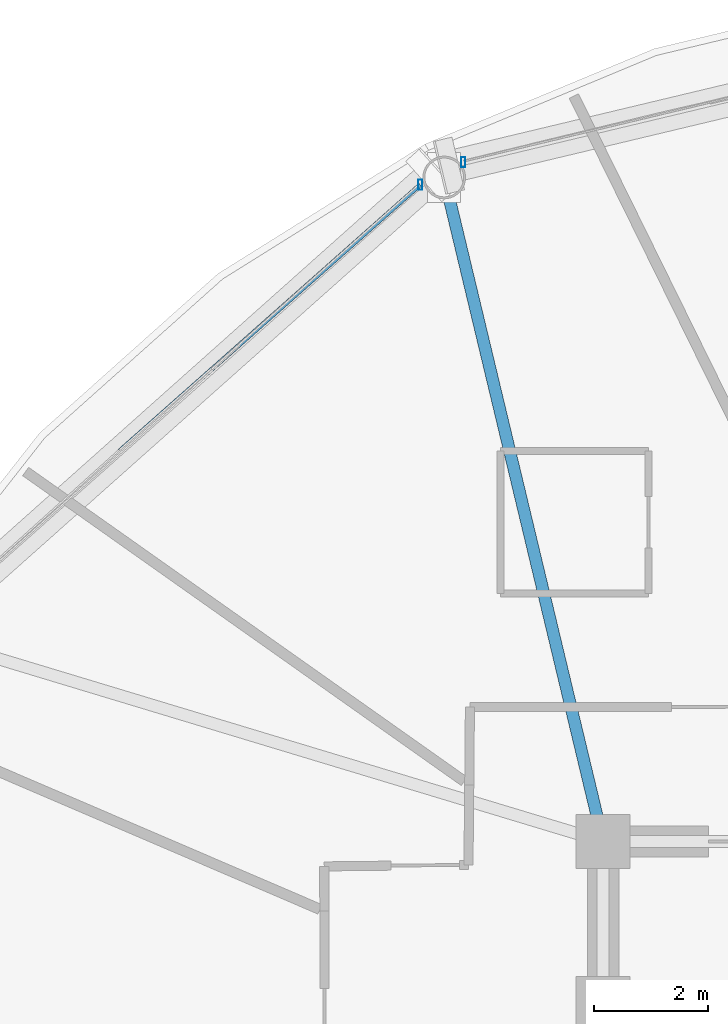
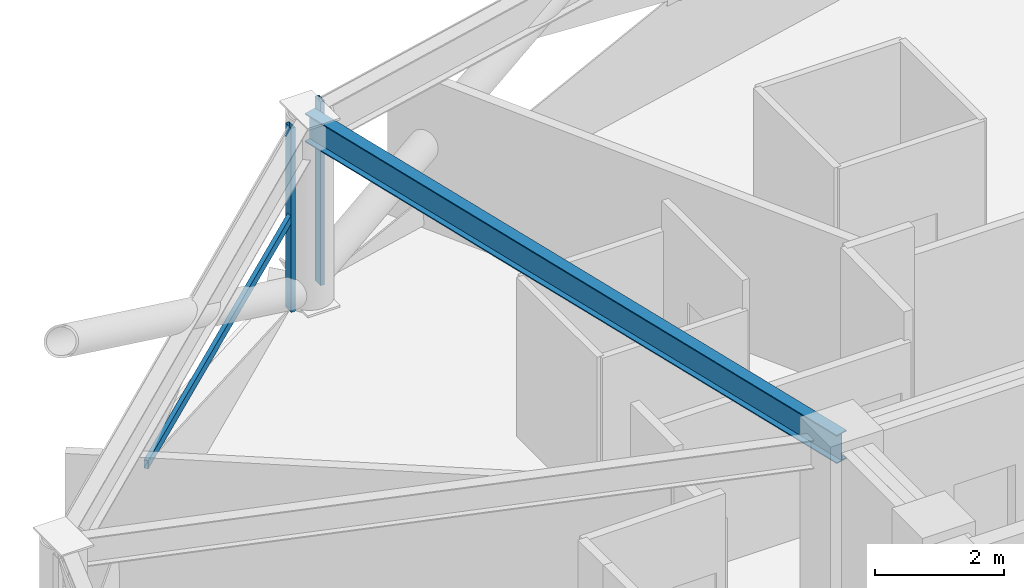
# One storey, part 14 of 29: 3 members, 1 beam, 2 elements without a shape of their own.
"""IFC4 building model written with IfcOpenShell, lengths in metres."""

import ifcopenshell
import ifcopenshell.guid

model = None  # the IFC model being written
_history = None  # IfcOwnerHistory: only IFC2X3 demands one
_inside = {}  # id of a spatial element -> (the spatial element, [elements in it])
_under = {}  # id of a project, library or spatial element -> (it, [spatial elements below it])
_declared = {}  # id of a project -> (the project, [libraries it declares])
_typed = {}  # id of a type object -> (the type object, [elements of that type])
_made_of = {}  # id of a material, layer set ... -> (it, [elements and type objects made of it])


def new_model(schema):
    """Start an empty IFC model of exactly this schema.

    Asked for "IFC4X3", IfcOpenShell would pick the latest addendum, in which some entities
    have other attributes; the version numbers below select the first issue.
    IFC2X3 requires an IfcOwnerHistory on every rooted entity: one is made here for all.
    """
    global model, _history
    if schema == "IFC4X3":
        model = ifcopenshell.file(schema_version=(4, 3, 0, 0))
    else:
        model = ifcopenshell.file(schema=schema)
    _inside.clear()
    _under.clear()
    _declared.clear()
    _typed.clear()
    _made_of.clear()
    _history = None
    if model.schema == "IFC2X3":
        org = make("IfcOrganization", Name="unknown")
        user = make(
            "IfcPersonAndOrganization",
            ThePerson=make("IfcPerson", FamilyName="unknown"),
            TheOrganization=org,
        )
        app = make(
            "IfcApplication",
            ApplicationDeveloper=org,
            Version="unknown",
            ApplicationFullName="unknown",
            ApplicationIdentifier="unknown",
        )
        _history = make(
            "IfcOwnerHistory",
            OwningUser=user,
            OwningApplication=app,
            ChangeAction="ADDED",
            CreationDate=0,
        )
    return model


def make(cls, **values):
    """One entity of the class cls with the attributes given. An attribute that is None is left unset."""
    return model.create_entity(
        cls, **{name: value for name, value in values.items() if value is not None}
    )


def rooted(cls, **values):
    """An entity with a GlobalId (a new one), such as an element, a storey or a relation."""
    return make(cls, GlobalId=ifcopenshell.guid.new(), OwnerHistory=_history, **values)


def si_unit(unit_type, name, prefix=None):
    """IfcSIUnit, for example si_unit("LENGTHUNIT", "METRE", prefix="MILLI")."""
    return make("IfcSIUnit", UnitType=unit_type, Prefix=prefix, Name=name)


def assignment(units):
    """IfcUnitAssignment: the units of a project."""
    return None if units is None else make("IfcUnitAssignment", Units=units)


def point(xyz):
    """IfcCartesianPoint."""
    return None if xyz is None else make("IfcCartesianPoint", Coordinates=xyz)


def direction(xyz):
    """IfcDirection."""
    return None if xyz is None else make("IfcDirection", DirectionRatios=xyz)


def frame(location, z_axis=None, x_axis=None):
    """IfcAxis2Placement3D, a coordinate frame: its origin and axes. An axis left out is left unset."""
    return make(
        "IfcAxis2Placement3D",
        Location=point(location),
        Axis=direction(z_axis),
        RefDirection=direction(x_axis),
    )


def frame_2d(location, x_axis=None):
    """IfcAxis2Placement2D, a coordinate frame in the plane: its origin and x axis."""
    return make(
        "IfcAxis2Placement2D", Location=point(location), RefDirection=direction(x_axis)
    )


def origin():
    """The frame at (0, 0, 0) with its axes left unset."""
    return frame((0.0, 0.0, 0.0))


def origin_2d():
    """The frame at (0, 0) in the plane with its x axis left unset."""
    return frame_2d((0.0, 0.0))


def place(relative_to, where):
    """IfcLocalPlacement: puts the frame where relative to a parent placement (None: the world)."""
    return make(
        "IfcLocalPlacement", PlacementRelTo=relative_to, RelativePlacement=where
    )


def context(
    kind, dimensions, precision=None, world=None, true_north=None, identifier=None
):
    """IfcGeometricRepresentationContext, for example the 3D "Model" context."""
    return make(
        "IfcGeometricRepresentationContext",
        ContextIdentifier=identifier,
        ContextType=kind,
        CoordinateSpaceDimension=dimensions,
        Precision=precision,
        WorldCoordinateSystem=world,
        TrueNorth=true_north,
    )


def subcontext(parent, identifier, kind, view, scale=None):
    """IfcGeometricRepresentationSubContext, for example "Body" below "Model"."""
    return make(
        "IfcGeometricRepresentationSubContext",
        ContextIdentifier=identifier,
        ContextType=kind,
        ParentContext=parent,
        TargetScale=scale,
        TargetView=view,
    )


def project(units=None, contexts=None):
    """IfcProject with its units and contexts."""
    return rooted(
        "IfcProject",
        Name="project",
        RepresentationContexts=contexts,
        UnitsInContext=assignment(units),
    )


def spatial(cls, under=None, at=None, **own):
    """A site, building, storey or space (cls), placed at a placement, below another one or the project."""
    s = rooted(cls, ObjectPlacement=at, **own)
    if under is not None:
        _under.setdefault(under.id(), (under, []))[1].append(s)
    return s


def profile(cls, at=None, kind="AREA", **sizes):
    """A parametric profile (cls). Its sizes go by their IFC names, for example OverallWidth=200.0."""
    return make(cls, ProfileType=kind, Position=at, **sizes)


def hollow_rectangle(**sizes):
    """IfcRectangleHollowProfileDef."""
    return profile("IfcRectangleHollowProfileDef", **sizes)


def i_section(**sizes):
    """IfcIShapeProfileDef."""
    return profile("IfcIShapeProfileDef", **sizes)


def extrude(swept, where, along, depth):
    """IfcExtrudedAreaSolid: the profile swept, set in the frame where, extruded along a direction by depth."""
    return make(
        "IfcExtrudedAreaSolid",
        SweptArea=swept,
        Position=where,
        ExtrudedDirection=direction(along),
        Depth=depth,
    )


def shape(context_of_items, identifier, shape_type, items):
    """IfcShapeRepresentation: the items that make up one representation, for example the "Body"."""
    return make(
        "IfcShapeRepresentation",
        ContextOfItems=context_of_items,
        RepresentationIdentifier=identifier,
        RepresentationType=shape_type,
        Items=items,
    )


def material(Name=None, Category=None):
    """IfcMaterial."""
    return make("IfcMaterial", Name=Name, Category=Category)


def layer(
    of_material, thickness, ventilated=None, Name=None, Category=None, Priority=None
):
    """IfcMaterialLayer: one layer of a wall or slab, of a material (None: an air gap)."""
    return make(
        "IfcMaterialLayer",
        Material=of_material,
        LayerThickness=thickness,
        IsVentilated=ventilated,
        Name=Name,
        Category=Category,
        Priority=Priority,
    )


def layer_set(layers, Name=None):
    """IfcMaterialLayerSet."""
    return make("IfcMaterialLayerSet", MaterialLayers=layers, LayerSetName=Name)


def material_profile(
    of_material, cross_section, Name=None, Category=None, Priority=None
):
    """IfcMaterialProfile: a cross section and its material."""
    return make(
        "IfcMaterialProfile",
        Name=Name,
        Material=of_material,
        Profile=cross_section,
        Priority=Priority,
        Category=Category,
    )


def profile_set(profiles, Name=None, composite=None):
    """IfcMaterialProfileSet."""
    return make(
        "IfcMaterialProfileSet",
        Name=Name,
        MaterialProfiles=profiles,
        CompositeProfile=composite,
    )


def made_of(thing, what):
    """Note that an element or type object is made of a material, layer set ...; save() writes the relation."""
    if what is not None:
        _made_of.setdefault(what.id(), (what, []))[1].append(thing)
    return thing


def type_object(cls, material=None, **own):
    """A type object (cls), such as IfcWallType, which elements share."""
    return made_of(rooted(cls, **own), material)


def element(
    cls,
    number,
    at=None,
    inside=None,
    cuts=None,
    type_object=None,
    material=None,
    context=None,
    identifier="Body",
    shape_type=None,
    held_by="IfcProductDefinitionShape",
    body=None,
    shapes=None,
    **own,
):
    """One element of the class cls, such as IfcWall. Its Tag is "e" and its number.

    at: its placement. inside: the storey or other place that contains it. cuts: it is an
    opening in that element (IfcRelVoidsElement). A single representation is given by context,
    identifier, shape_type and body (its items); several are given by shapes. held_by: the class
    of the entity that holds the representations. save() writes the other relations.
    """
    e = rooted(cls, Tag="e%d" % number, ObjectPlacement=at, **own)
    if body is not None:
        shapes = [shape(context, identifier, shape_type, body)]
    if shapes is not None:
        e.Representation = make(held_by, Representations=shapes)
    if inside is not None:
        _inside.setdefault(inside.id(), (inside, []))[1].append(e)
    if cuts is not None:
        rooted(
            "IfcRelVoidsElement", RelatingBuildingElement=cuts, RelatedOpeningElement=e
        )
    if type_object is not None:
        _typed.setdefault(type_object.id(), (type_object, []))[1].append(e)
    return made_of(e, material)


def aggregate(whole, parts):
    """IfcRelAggregates: a whole, such as a stair, and the parts it consists of."""
    return rooted("IfcRelAggregates", RelatingObject=whole, RelatedObjects=parts)


def save(model, path):
    """Write the relations noted so far, then the file.

    IfcRelAggregates (storeys below a building ...), IfcRelContainedInSpatialStructure (elements
    in a storey), IfcRelDefinesByType, IfcRelAssociatesMaterial and IfcRelDeclares: one each for
    every whole, place, type object, material and project.
    """
    for whole, parts in _under.values():
        aggregate(whole, parts)
    for where, things in _inside.values():
        rooted(
            "IfcRelContainedInSpatialStructure",
            RelatedElements=things,
            RelatingStructure=where,
        )
    for kind, things in _typed.values():
        rooted("IfcRelDefinesByType", RelatedObjects=things, RelatingType=kind)
    for what, things in _made_of.values():
        rooted("IfcRelAssociatesMaterial", RelatedObjects=things, RelatingMaterial=what)
    for by, libraries in _declared.values():
        rooted("IfcRelDeclares", RelatingContext=by, RelatedDefinitions=libraries)
    model.write(path)


model = new_model("IFC4")

# Units and contexts
model_context = context("Model", 3, precision=1e-05, world=origin(), true_north=direction((0.0, 1.0)))
body_context = subcontext(model_context, "Body", "Model", "MODEL_VIEW")
ifc_project = project(units=[si_unit("LENGTHUNIT", "METRE"), si_unit("AREAUNIT", "SQUARE_METRE"), si_unit("VOLUMEUNIT", "CUBIC_METRE"), si_unit("PLANEANGLEUNIT", "RADIAN"), si_unit("MASSUNIT", "GRAM", prefix="KILO")], contexts=[model_context])

# Site, building, storey
site_placement = place(None, origin())
site = spatial("IfcSite", under=ifc_project, at=site_placement, CompositionType="ELEMENT")
building_placement = place(site_placement, origin())
building = spatial("IfcBuilding", under=site, at=building_placement, Name="Vantalir Tower", CompositionType="ELEMENT")
storey_placement = place(building_placement, frame((0.0, 0.0, 149.699951171875)))
storey = spatial("IfcBuildingStorey", under=building, at=storey_placement, Name="L37", CompositionType="ELEMENT", Elevation=149.699951171875)

# Beam
ifc_material_1 = material(Name="Steel S355", Category="steel")
ifc_material_profile_1 = material_profile(ifc_material_1, i_section(OverallWidth=0.2109375, OverallDepth=0.5390625, WebThickness=0.01171875, FlangeThickness=0.018798828125, at=origin_2d()), Name="Steel S355")
ifc_profile_set_1 = profile_set([ifc_material_profile_1], Name="Steel S355")
beam_type = type_object("IfcBeamType", Name="BM-RB-533x210", PredefinedType="BEAM", material=ifc_profile_set_1)
beam_placement = place(storey_placement, frame((19.10888671875, 44.112060546875, 3.301025390625), z_axis=(0.23275072086, -0.97253642705, 0.0), x_axis=(0.97253642705, 0.23275072086, 0.0)))
element("IfcBeam", 1, at=beam_placement, inside=storey, type_object=beam_type, Name="L37 Radial Floor Beam 05", PredefinedType="BEAM", context=body_context, shape_type="SweptSolid", body=[
    extrude(i_section(OverallWidth=0.2109375, OverallDepth=0.5390625, WebThickness=0.01171875, FlangeThickness=0.018798828125, at=origin_2d()), origin(), (0.0, 0.0, 1.0), 11.991455078125),
])

# Curtain wall, member
ifc_material_2 = material(Name="Champagne-silver PVDF aluminium and double-silver Low-E glass", Category="aluminium")
ifc_layer = layer(ifc_material_2, 0.199951171875)
ifc_layer_set = layer_set([ifc_layer], Name="Champagne-silver PVDF aluminium and double-silver Low-E glass")
curtain_wall_type = type_object("IfcCurtainWallType", Name="CW-DIAMOND-Z2", PredefinedType="USERDEFINED", material=ifc_layer_set)
curtain_wall_1_placement = place(storey_placement, origin())
curtain_wall_1 = element("IfcCurtainWall", 2, at=curtain_wall_1_placement, inside=storey, type_object=curtain_wall_type, Name="L37 Quilted Pyramid-Diamond Curtain Wall S04", ObjectType="UNITISED CURTAIN WALL", PredefinedType="USERDEFINED")
ifc_material_3 = material(Name="Champagne-silver PVDF aluminium 6063-T6", Category="aluminium")
ifc_material_profile_2 = material_profile(ifc_material_3, hollow_rectangle(XDim=0.074951171875, YDim=0.179931640625, WallThickness=0.00390625, at=origin_2d()), Name="Champagne-silver PVDF aluminium 6063-T6")
ifc_profile_set_2 = profile_set([ifc_material_profile_2], Name="Champagne-silver PVDF aluminium 6063-T6")
member_type_1 = type_object("IfcMemberType", Name="CWM-180x75", PredefinedType="MULLION", material=ifc_profile_set_2)
member_1_placement = place(storey_placement, frame((19.44189453125, 44.37890625, 0.045166015625), z_axis=(0.0, 0.0, 1.0), x_axis=(1.0, 0.0, 0.0)))
member_1 = element("IfcMember", 3, at=member_1_placement, type_object=member_type_1, Name="CW-L37-S04 Mullion 2", PredefinedType="MULLION", context=body_context, shape_type="SweptSolid", body=[
    extrude(hollow_rectangle(XDim=0.074951171875, YDim=0.179931640625, WallThickness=0.00390625, at=origin_2d()), origin(), (0.0, 0.0, 1.0), 3.47998046875),
])
aggregate(curtain_wall_1, [member_1])

# Curtain wall, members
curtain_wall_2_placement = place(storey_placement, origin())
curtain_wall_2 = element("IfcCurtainWall", 4, at=curtain_wall_2_placement, inside=storey, type_object=curtain_wall_type, Name="L37 Quilted Pyramid-Diamond Curtain Wall S05", ObjectType="UNITISED CURTAIN WALL", PredefinedType="USERDEFINED")
member_2_placement = place(storey_placement, frame((18.68603515625, 43.98388671875, 0.045166015625), z_axis=(0.0, 0.0, 1.0), x_axis=(1.0, 0.0, 0.0)))
member_2 = element("IfcMember", 5, at=member_2_placement, type_object=member_type_1, Name="CW-L37-S05 Mullion 1", PredefinedType="MULLION", context=body_context, shape_type="SweptSolid", body=[
    extrude(hollow_rectangle(XDim=0.074951171875, YDim=0.179931640625, WallThickness=0.00390625, at=origin_2d()), origin(), (0.0, 0.0, 1.0), 3.47998046875),
])
ifc_material_profile_3 = material_profile(ifc_material_3, hollow_rectangle(XDim=0.074951171875, YDim=0.159912109375, WallThickness=0.00390625, at=origin_2d()), Name="Champagne-silver PVDF aluminium 6063-T6")
ifc_profile_set_3 = profile_set([ifc_material_profile_3], Name="Champagne-silver PVDF aluminium 6063-T6")
member_type_2 = type_object("IfcMemberType", Name="CWT-160x75", PredefinedType="USERDEFINED", material=ifc_profile_set_3)
member_3_placement = place(storey_placement, frame((18.68603515625, 43.98388671875, 1.78515625), z_axis=(-0.748722218619, -0.66288388074, 0.0), x_axis=(0.66288388074, -0.748722218619, 0.0)))
member_3 = element("IfcMember", 6, at=member_3_placement, type_object=member_type_2, Name="CW-L37-S05 Pyramid Fold Ridge Transom", ObjectType="TRANSOM", PredefinedType="USERDEFINED", context=body_context, shape_type="SweptSolid", body=[
    extrude(hollow_rectangle(XDim=0.074951171875, YDim=0.159912109375, WallThickness=0.00390625, at=origin_2d()), origin(), (0.0, 0.0, 1.0), 7.05078125),
])
aggregate(curtain_wall_2, [member_2, member_3])

save(model, "model.ifc")
